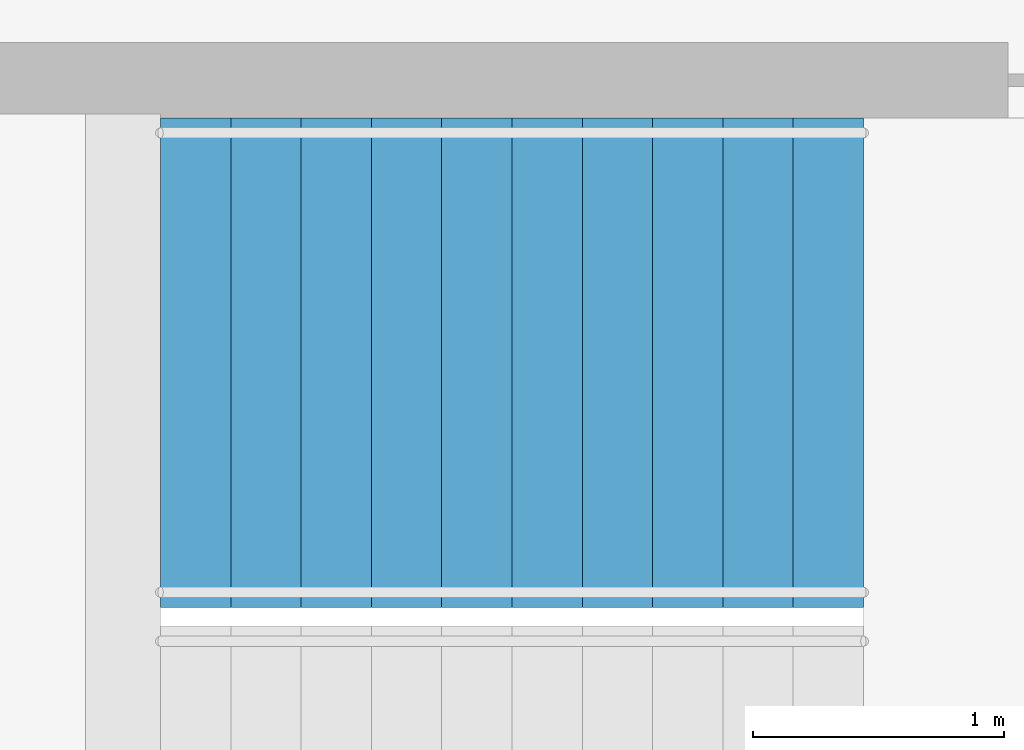
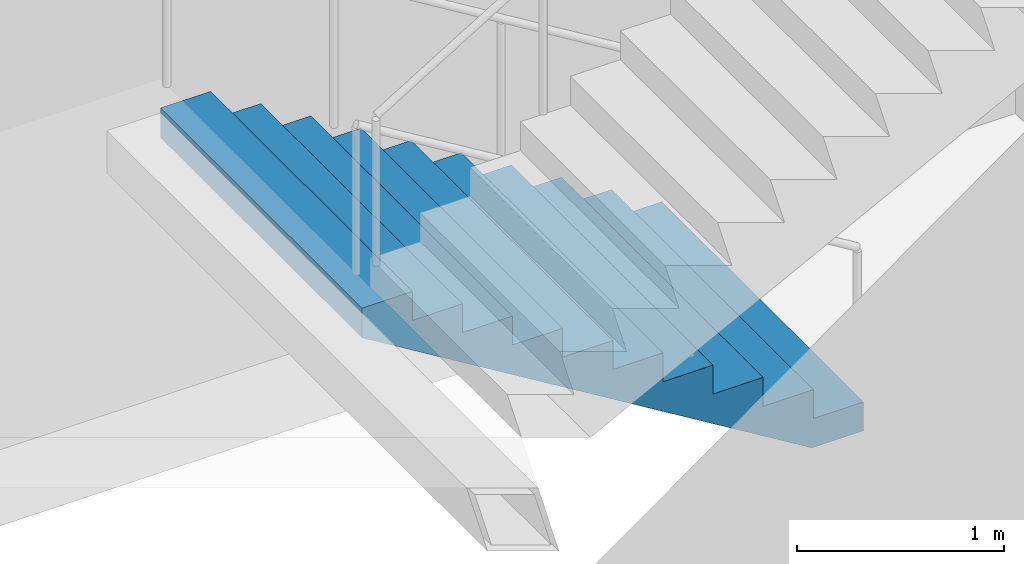
# One storey, part 23 of 25: 1 stair flight, 1 element without a shape of its own.
"""IFC4 building model written with IfcOpenShell, lengths in metres."""

import ifcopenshell
import ifcopenshell.guid

model = None  # the IFC model being written
_history = None  # IfcOwnerHistory: only IFC2X3 demands one
_inside = {}  # id of a spatial element -> (the spatial element, [elements in it])
_under = {}  # id of a project, library or spatial element -> (it, [spatial elements below it])
_declared = {}  # id of a project -> (the project, [libraries it declares])
_typed = {}  # id of a type object -> (the type object, [elements of that type])
_made_of = {}  # id of a material, layer set ... -> (it, [elements and type objects made of it])


def new_model(schema):
    """Start an empty IFC model of exactly this schema.

    Asked for "IFC4X3", IfcOpenShell would pick the latest addendum, in which some entities
    have other attributes; the version numbers below select the first issue.
    IFC2X3 requires an IfcOwnerHistory on every rooted entity: one is made here for all.
    """
    global model, _history
    if schema == "IFC4X3":
        model = ifcopenshell.file(schema_version=(4, 3, 0, 0))
    else:
        model = ifcopenshell.file(schema=schema)
    _inside.clear()
    _under.clear()
    _declared.clear()
    _typed.clear()
    _made_of.clear()
    _history = None
    if model.schema == "IFC2X3":
        org = make("IfcOrganization", Name="unknown")
        user = make(
            "IfcPersonAndOrganization",
            ThePerson=make("IfcPerson", FamilyName="unknown"),
            TheOrganization=org,
        )
        app = make(
            "IfcApplication",
            ApplicationDeveloper=org,
            Version="unknown",
            ApplicationFullName="unknown",
            ApplicationIdentifier="unknown",
        )
        _history = make(
            "IfcOwnerHistory",
            OwningUser=user,
            OwningApplication=app,
            ChangeAction="ADDED",
            CreationDate=0,
        )
    return model


def make(cls, **values):
    """One entity of the class cls with the attributes given. An attribute that is None is left unset."""
    return model.create_entity(
        cls, **{name: value for name, value in values.items() if value is not None}
    )


def rooted(cls, **values):
    """An entity with a GlobalId (a new one), such as an element, a storey or a relation."""
    return make(cls, GlobalId=ifcopenshell.guid.new(), OwnerHistory=_history, **values)


def si_unit(unit_type, name, prefix=None):
    """IfcSIUnit, for example si_unit("LENGTHUNIT", "METRE", prefix="MILLI")."""
    return make("IfcSIUnit", UnitType=unit_type, Prefix=prefix, Name=name)


def assignment(units):
    """IfcUnitAssignment: the units of a project."""
    return None if units is None else make("IfcUnitAssignment", Units=units)


def point(xyz):
    """IfcCartesianPoint."""
    return None if xyz is None else make("IfcCartesianPoint", Coordinates=xyz)


def direction(xyz):
    """IfcDirection."""
    return None if xyz is None else make("IfcDirection", DirectionRatios=xyz)


def frame(location, z_axis=None, x_axis=None):
    """IfcAxis2Placement3D, a coordinate frame: its origin and axes. An axis left out is left unset."""
    return make(
        "IfcAxis2Placement3D",
        Location=point(location),
        Axis=direction(z_axis),
        RefDirection=direction(x_axis),
    )


def origin():
    """The frame at (0, 0, 0) with its axes left unset."""
    return frame((0.0, 0.0, 0.0))


def place(relative_to, where):
    """IfcLocalPlacement: puts the frame where relative to a parent placement (None: the world)."""
    return make(
        "IfcLocalPlacement", PlacementRelTo=relative_to, RelativePlacement=where
    )


def context(
    kind, dimensions, precision=None, world=None, true_north=None, identifier=None
):
    """IfcGeometricRepresentationContext, for example the 3D "Model" context."""
    return make(
        "IfcGeometricRepresentationContext",
        ContextIdentifier=identifier,
        ContextType=kind,
        CoordinateSpaceDimension=dimensions,
        Precision=precision,
        WorldCoordinateSystem=world,
        TrueNorth=true_north,
    )


def subcontext(parent, identifier, kind, view, scale=None):
    """IfcGeometricRepresentationSubContext, for example "Body" below "Model"."""
    return make(
        "IfcGeometricRepresentationSubContext",
        ContextIdentifier=identifier,
        ContextType=kind,
        ParentContext=parent,
        TargetScale=scale,
        TargetView=view,
    )


def project(units=None, contexts=None):
    """IfcProject with its units and contexts."""
    return rooted(
        "IfcProject",
        Name="project",
        RepresentationContexts=contexts,
        UnitsInContext=assignment(units),
    )


def spatial(cls, under=None, at=None, **own):
    """A site, building, storey or space (cls), placed at a placement, below another one or the project."""
    s = rooted(cls, ObjectPlacement=at, **own)
    if under is not None:
        _under.setdefault(under.id(), (under, []))[1].append(s)
    return s


def point_list(points):
    """IfcCartesianPointList2D or 3D."""
    cls = (
        "IfcCartesianPointList2D" if len(points[0]) == 2 else "IfcCartesianPointList3D"
    )
    return make(cls, CoordList=points)


def triangles(points, corners, closed=None, point_numbers=None):
    """IfcTriangulatedFaceSet: each triangle names its three corners, points numbered from 1."""
    return make(
        "IfcTriangulatedFaceSet",
        Coordinates=point_list(points),
        Closed=closed,
        CoordIndex=corners,
        PnIndex=point_numbers,
    )


def shape(context_of_items, identifier, shape_type, items):
    """IfcShapeRepresentation: the items that make up one representation, for example the "Body"."""
    return make(
        "IfcShapeRepresentation",
        ContextOfItems=context_of_items,
        RepresentationIdentifier=identifier,
        RepresentationType=shape_type,
        Items=items,
    )


def material(Name=None, Category=None):
    """IfcMaterial."""
    return make("IfcMaterial", Name=Name, Category=Category)


def made_of(thing, what):
    """Note that an element or type object is made of a material, layer set ...; save() writes the relation."""
    if what is not None:
        _made_of.setdefault(what.id(), (what, []))[1].append(thing)
    return thing


def type_object(cls, material=None, **own):
    """A type object (cls), such as IfcWallType, which elements share."""
    return made_of(rooted(cls, **own), material)


def element(
    cls,
    number,
    at=None,
    inside=None,
    cuts=None,
    type_object=None,
    material=None,
    context=None,
    identifier="Body",
    shape_type=None,
    held_by="IfcProductDefinitionShape",
    body=None,
    shapes=None,
    **own,
):
    """One element of the class cls, such as IfcWall. Its Tag is "e" and its number.

    at: its placement. inside: the storey or other place that contains it. cuts: it is an
    opening in that element (IfcRelVoidsElement). A single representation is given by context,
    identifier, shape_type and body (its items); several are given by shapes. held_by: the class
    of the entity that holds the representations. save() writes the other relations.
    """
    e = rooted(cls, Tag="e%d" % number, ObjectPlacement=at, **own)
    if body is not None:
        shapes = [shape(context, identifier, shape_type, body)]
    if shapes is not None:
        e.Representation = make(held_by, Representations=shapes)
    if inside is not None:
        _inside.setdefault(inside.id(), (inside, []))[1].append(e)
    if cuts is not None:
        rooted(
            "IfcRelVoidsElement", RelatingBuildingElement=cuts, RelatedOpeningElement=e
        )
    if type_object is not None:
        _typed.setdefault(type_object.id(), (type_object, []))[1].append(e)
    return made_of(e, material)


def aggregate(whole, parts):
    """IfcRelAggregates: a whole, such as a stair, and the parts it consists of."""
    return rooted("IfcRelAggregates", RelatingObject=whole, RelatedObjects=parts)


def save(model, path):
    """Write the relations noted so far, then the file.

    IfcRelAggregates (storeys below a building ...), IfcRelContainedInSpatialStructure (elements
    in a storey), IfcRelDefinesByType, IfcRelAssociatesMaterial and IfcRelDeclares: one each for
    every whole, place, type object, material and project.
    """
    for whole, parts in _under.values():
        aggregate(whole, parts)
    for where, things in _inside.values():
        rooted(
            "IfcRelContainedInSpatialStructure",
            RelatedElements=things,
            RelatingStructure=where,
        )
    for kind, things in _typed.values():
        rooted("IfcRelDefinesByType", RelatedObjects=things, RelatingType=kind)
    for what, things in _made_of.values():
        rooted("IfcRelAssociatesMaterial", RelatedObjects=things, RelatingMaterial=what)
    for by, libraries in _declared.values():
        rooted("IfcRelDeclares", RelatingContext=by, RelatedDefinitions=libraries)
    model.write(path)


model = new_model("IFC4")

# Units and contexts
model_context = context("Model", 3, precision=1e-05, world=origin(), true_north=direction((0.0, 1.0)))
body_context = subcontext(model_context, "Body", "Model", "MODEL_VIEW")
ifc_project = project(units=[si_unit("LENGTHUNIT", "METRE"), si_unit("AREAUNIT", "SQUARE_METRE"), si_unit("VOLUMEUNIT", "CUBIC_METRE"), si_unit("PLANEANGLEUNIT", "RADIAN"), si_unit("MASSUNIT", "GRAM", prefix="KILO")], contexts=[model_context])

# Site, building, storey
site_placement = place(None, origin())
site = spatial("IfcSite", under=ifc_project, at=site_placement, CompositionType="ELEMENT")
building_placement = place(site_placement, origin())
building = spatial("IfcBuilding", under=site, at=building_placement, Name="Orbita Commons", CompositionType="ELEMENT")
storey_placement = place(building_placement, frame((0.0, 0.0, 84.39990234375)))
storey = spatial("IfcBuildingStorey", under=building, at=storey_placement, Name="L20", CompositionType="ELEMENT", Elevation=84.39990234375)

# Stair, stair flight
ifc_material_1 = material(Name="Precast concrete C40/50", Category="concrete")
stair_type = type_object("IfcStairType", Name="Exit stair S2 2 flights 11 risers 170", PredefinedType="HALF_TURN_STAIR", material=ifc_material_1)
stair_placement = place(storey_placement, origin())
stair = element("IfcStair", 1, at=stair_placement, inside=storey, type_object=stair_type, Name="Exit stair S2 L20", PredefinedType="HALF_TURN_STAIR")
ifc_material_2 = material(Name="Precast concrete C40/50", Category="concrete")
stair_flight_type = type_object("IfcStairFlightType", Name="Stair flight 11 risers 170 x 280", PredefinedType="STRAIGHT", material=ifc_material_2)
stair_flight_placement = place(storey_placement, frame((63.550048828125, 29.27490234375, 0.0), z_axis=(0.0, 0.0, 1.0), x_axis=(-1.0, 0.0, 0.0)))
stair_flight = element("IfcStairFlight", 2, at=stair_flight_placement, type_object=stair_flight_type, Name="S2 flight 1", NumberOfRisers=11, NumberOfTreads=10, PredefinedType="STRAIGHT", RiserHeight=0.170454545, TreadLength=0.28, context=body_context, shape_type="Tessellation", body=[
    triangles([(0.0, 0.974976, 0.0), (0.0, 0.974976, 0.021307), (0.0, 0.81248, 0.021307), (0.0, 0.81248, 0.0), (0.0, 0.649984, 0.021307), (0.0, 0.649984, 0.0), (0.0, 0.487488, 0.021307), (0.0, 0.487488, 0.0), (0.0, 0.324992, 0.021307), (0.0, 0.324992, 0.0), (0.0, 0.162496, 0.021307), (0.0, 0.162496, 0.0), (0.0, 0.0, 0.021307), (0.0, 0.0, 0.0), (0.0, -0.162496, 0.021307), (0.0, -0.162496, 0.0), (0.0, -0.324992, 0.021307), (0.0, -0.324992, 0.0), (0.0, -0.487488, 0.021307), (0.0, -0.487488, 0.0), (0.0, -0.649984, 0.021307), (0.0, -0.649984, 0.0), (0.0, -0.81248, 0.021307), (0.0, -0.81248, 0.0), (0.0, -0.974976, 0.021307), (0.0, -0.974976, 0.0), (0.0, 0.974976, 0.042614), (0.0, 0.81248, 0.042614), (0.0, 0.649984, 0.042614), (0.0, 0.487488, 0.042614), (0.0, 0.324992, 0.042614), (0.0, 0.162496, 0.042614), (0.0, 0.0, 0.042614), (0.0, -0.162496, 0.042614), (0.0, -0.324992, 0.042614), (0.0, -0.487488, 0.042614), (0.0, -0.649984, 0.042614), (0.0, -0.81248, 0.042614), (0.0, -0.974976, 0.042614), (0.0, 0.974976, 0.06392), (0.0, 0.81248, 0.06392), (0.0, 0.649984, 0.06392), (0.0, 0.487488, 0.06392), (0.0, 0.324992, 0.06392), (0.0, 0.162496, 0.06392), (0.0, 0.0, 0.06392), (0.0, -0.162496, 0.06392), (0.0, -0.324992, 0.06392), (0.0, -0.487488, 0.06392), (0.0, -0.649984, 0.06392), (0.0, -0.81248, 0.06392), (0.0, -0.974976, 0.06392), (0.0, 0.974976, 0.085227), (0.0, 0.81248, 0.085227), (0.0, 0.649984, 0.085227), (0.0, 0.487488, 0.085227), (0.0, 0.324992, 0.085227), (0.0, 0.162496, 0.085227), (0.0, 0.0, 0.085227), (0.0, -0.162496, 0.085227), (0.0, -0.324992, 0.085227), (0.0, -0.487488, 0.085227), (0.0, -0.649984, 0.085227), (0.0, -0.81248, 0.085227), (0.0, -0.974976, 0.085227), (0.0, 0.974976, 0.106534), (0.0, 0.81248, 0.106534), (0.0, 0.649984, 0.106534), (0.0, 0.487488, 0.106534), (0.0, 0.324992, 0.106534), (0.0, 0.162496, 0.106534), (0.0, 0.0, 0.106534), (0.0, -0.162496, 0.106534), (0.0, -0.324992, 0.106534), (0.0, -0.487488, 0.106534), (0.0, -0.649984, 0.106534), (0.0, -0.81248, 0.106534), (0.0, -0.974976, 0.106534), (0.0, 0.974976, 0.127841), (0.0, 0.81248, 0.127841), (0.0, 0.649984, 0.127841), (0.0, 0.487488, 0.127841), (0.0, 0.324992, 0.127841), (0.0, 0.162496, 0.127841), (0.0, 0.0, 0.127841), (0.0, -0.162496, 0.127841), (0.0, -0.324992, 0.127841), (0.0, -0.487488, 0.127841), (0.0, -0.649984, 0.127841), (0.0, -0.81248, 0.127841), (0.0, -0.974976, 0.127841), (0.0, 0.974976, 0.149148), (0.0, 0.81248, 0.149148), (0.0, 0.649984, 0.149148), (0.0, 0.487488, 0.149148), (0.0, 0.324992, 0.149148), (0.0, 0.162496, 0.149148), (0.0, 0.0, 0.149148), (0.0, -0.162496, 0.149148), (0.0, -0.324992, 0.149148), (0.0, -0.487488, 0.149148), (0.0, -0.649984, 0.149148), (0.0, -0.81248, 0.149148), (0.0, -0.974976, 0.149148), (0.0, 0.974976, 0.170455), (0.0, 0.81248, 0.170455), (0.0, 0.649984, 0.170455), (0.0, 0.487488, 0.170455), (0.0, 0.324992, 0.170455), (0.0, 0.162496, 0.170455), (0.0, 0.0, 0.170455), (0.0, -0.162496, 0.170455), (0.0, -0.324992, 0.170455), (0.0, -0.487488, 0.170455), (0.0, -0.649984, 0.170455), (0.0, -0.81248, 0.170455), (0.0, -0.974976, 0.170455), (0.28, 0.974976, 0.170455), (0.28, 0.81248, 0.170455), (0.28, 0.649984, 0.170455), (0.28, 0.487488, 0.170455), (0.28, 0.324992, 0.170455), (0.28, 0.162496, 0.170455), (0.28, 0.0, 0.170455), (0.28, -0.162496, 0.170455), (0.28, -0.324992, 0.170455), (0.28, -0.487488, 0.170455), (0.28, -0.649984, 0.170455), (0.28, -0.81248, 0.170455), (0.28, -0.974976, 0.170455), (0.28, 0.974976, 0.340909), (0.28, 0.81248, 0.340909), (0.28, 0.649984, 0.340909), (0.28, 0.487488, 0.340909), (0.28, 0.324992, 0.340909), (0.28, 0.162496, 0.340909), (0.28, 0.0, 0.340909), (0.28, -0.162496, 0.340909), (0.28, -0.324992, 0.340909), (0.28, -0.487488, 0.340909), (0.28, -0.649984, 0.340909), (0.28, -0.81248, 0.340909), (0.28, -0.974976, 0.340909), (0.56, 0.974976, 0.340909), (0.56, 0.81248, 0.340909), (0.56, 0.649984, 0.340909), (0.56, 0.487488, 0.340909), (0.56, 0.324992, 0.340909), (0.56, 0.162496, 0.340909), (0.56, 0.0, 0.340909), (0.56, -0.162496, 0.340909), (0.56, -0.324992, 0.340909), (0.56, -0.487488, 0.340909), (0.56, -0.649984, 0.340909), (0.56, -0.81248, 0.340909), (0.56, -0.974976, 0.340909), (0.56, 0.974976, 0.511364), (0.56, 0.81248, 0.511364), (0.56, 0.649984, 0.511364), (0.56, 0.487488, 0.511364), (0.56, 0.324992, 0.511364), (0.56, 0.162496, 0.511364), (0.56, 0.0, 0.511364), (0.56, -0.162496, 0.511364), (0.56, -0.324992, 0.511364), (0.56, -0.487488, 0.511364), (0.56, -0.649984, 0.511364), (0.56, -0.81248, 0.511364), (0.56, -0.974976, 0.511364), (0.84, 0.974976, 0.511364), (0.84, 0.81248, 0.511364), (0.84, 0.649984, 0.511364), (0.84, 0.487488, 0.511364), (0.84, 0.324992, 0.511364), (0.84, 0.162496, 0.511364), (0.84, 0.0, 0.511364), (0.84, -0.162496, 0.511364), (0.84, -0.324992, 0.511364), (0.84, -0.487488, 0.511364), (0.84, -0.649984, 0.511364), (0.84, -0.81248, 0.511364), (0.84, -0.974976, 0.511364), (0.84, 0.974976, 0.681818), (0.84, 0.81248, 0.681818), (0.84, 0.649984, 0.681818), (0.84, 0.487488, 0.681818), (0.84, 0.324992, 0.681818), (0.84, 0.162496, 0.681818), (0.84, 0.0, 0.681818), (0.84, -0.162496, 0.681818), (0.84, -0.324992, 0.681818), (0.84, -0.487488, 0.681818), (0.84, -0.649984, 0.681818), (0.84, -0.81248, 0.681818), (0.84, -0.974976, 0.681818), (1.12, 0.974976, 0.681818), (1.12, 0.81248, 0.681818), (1.12, 0.649984, 0.681818), (1.12, 0.487488, 0.681818), (1.12, 0.324992, 0.681818), (1.12, 0.162496, 0.681818), (1.12, 0.0, 0.681818), (1.12, -0.162496, 0.681818), (1.12, -0.324992, 0.681818), (1.12, -0.487488, 0.681818), (1.12, -0.649984, 0.681818), (1.12, -0.81248, 0.681818), (1.12, -0.974976, 0.681818), (1.12, 0.974976, 0.852273), (1.12, 0.81248, 0.852273), (1.12, 0.649984, 0.852273), (1.12, 0.487488, 0.852273), (1.12, 0.324992, 0.852273), (1.12, 0.162496, 0.852273), (1.12, 0.0, 0.852273), (1.12, -0.162496, 0.852273), (1.12, -0.324992, 0.852273), (1.12, -0.487488, 0.852273), (1.12, -0.649984, 0.852273), (1.12, -0.81248, 0.852273), (1.12, -0.974976, 0.852273), (1.4, 0.974976, 0.852273), (1.4, 0.81248, 0.852273), (1.4, 0.649984, 0.852273), (1.4, 0.487488, 0.852273), (1.4, 0.324992, 0.852273), (1.4, 0.162496, 0.852273), (1.4, 0.0, 0.852273), (1.4, -0.162496, 0.852273), (1.4, -0.324992, 0.852273), (1.4, -0.487488, 0.852273), (1.4, -0.649984, 0.852273), (1.4, -0.81248, 0.852273), (1.4, -0.974976, 0.852273), (1.4, 0.974976, 1.022727), (1.4, 0.81248, 1.022727), (1.4, 0.649984, 1.022727), (1.4, 0.487488, 1.022727), (1.4, 0.324992, 1.022727), (1.4, 0.162496, 1.022727), (1.4, 0.0, 1.022727), (1.4, -0.162496, 1.022727), (1.4, -0.324992, 1.022727), (1.4, -0.487488, 1.022727), (1.4, -0.649984, 1.022727), (1.4, -0.81248, 1.022727), (1.4, -0.974976, 1.022727), (1.68, 0.974976, 1.022727), (1.68, 0.81248, 1.022727), (1.68, 0.649984, 1.022727), (1.68, 0.487488, 1.022727), (1.68, 0.324992, 1.022727), (1.68, 0.162496, 1.022727), (1.68, 0.0, 1.022727), (1.68, -0.162496, 1.022727), (1.68, -0.324992, 1.022727), (1.68, -0.487488, 1.022727), (1.68, -0.649984, 1.022727), (1.68, -0.81248, 1.022727), (1.68, -0.974976, 1.022727), (1.68, 0.974976, 1.193182), (1.68, 0.81248, 1.193182), (1.68, 0.649984, 1.193182), (1.68, 0.487488, 1.193182), (1.68, 0.324992, 1.193182), (1.68, 0.162496, 1.193182), (1.68, 0.0, 1.193182), (1.68, -0.162496, 1.193182), (1.68, -0.324992, 1.193182), (1.68, -0.487488, 1.193182), (1.68, -0.649984, 1.193182), (1.68, -0.81248, 1.193182), (1.68, -0.974976, 1.193182), (1.96, 0.974976, 1.193182), (1.96, 0.81248, 1.193182), (1.96, 0.649984, 1.193182), (1.96, 0.487488, 1.193182), (1.96, 0.324992, 1.193182), (1.96, 0.162496, 1.193182), (1.96, 0.0, 1.193182), (1.96, -0.162496, 1.193182), (1.96, -0.324992, 1.193182), (1.96, -0.487488, 1.193182), (1.96, -0.649984, 1.193182), (1.96, -0.81248, 1.193182), (1.96, -0.974976, 1.193182), (1.96, 0.974976, 1.363636), (1.96, 0.81248, 1.363636), (1.96, 0.649984, 1.363636), (1.96, 0.487488, 1.363636), (1.96, 0.324992, 1.363636), (1.96, 0.162496, 1.363636), (1.96, 0.0, 1.363636), (1.96, -0.162496, 1.363636), (1.96, -0.324992, 1.363636), (1.96, -0.487488, 1.363636), (1.96, -0.649984, 1.363636), (1.96, -0.81248, 1.363636), (1.96, -0.974976, 1.363636), (2.24, 0.974976, 1.363636), (2.24, 0.81248, 1.363636), (2.24, 0.649984, 1.363636), (2.24, 0.487488, 1.363636), (2.24, 0.324992, 1.363636), (2.24, 0.162496, 1.363636), (2.24, 0.0, 1.363636), (2.24, -0.162496, 1.363636), (2.24, -0.324992, 1.363636), (2.24, -0.487488, 1.363636), (2.24, -0.649984, 1.363636), (2.24, -0.81248, 1.363636), (2.24, -0.974976, 1.363636), (2.24, 0.974976, 1.534091), (2.24, 0.81248, 1.534091), (2.24, 0.649984, 1.534091), (2.24, 0.487488, 1.534091), (2.24, 0.324992, 1.534091), (2.24, 0.162496, 1.534091), (2.24, 0.0, 1.534091), (2.24, -0.162496, 1.534091), (2.24, -0.324992, 1.534091), (2.24, -0.487488, 1.534091), (2.24, -0.649984, 1.534091), (2.24, -0.81248, 1.534091), (2.24, -0.974976, 1.534091), (2.52, 0.974976, 1.534091), (2.52, 0.81248, 1.534091), (2.52, 0.649984, 1.534091), (2.52, 0.487488, 1.534091), (2.52, 0.324992, 1.534091), (2.52, 0.162496, 1.534091), (2.52, 0.0, 1.534091), (2.52, -0.162496, 1.534091), (2.52, -0.324992, 1.534091), (2.52, -0.487488, 1.534091), (2.52, -0.649984, 1.534091), (2.52, -0.81248, 1.534091), (2.52, -0.974976, 1.534091), (2.52, 0.974976, 1.704545), (2.52, 0.81248, 1.704545), (2.52, 0.649984, 1.704545), (2.52, 0.487488, 1.704545), (2.52, 0.324992, 1.704545), (2.52, 0.162496, 1.704545), (2.52, 0.0, 1.704545), (2.52, -0.162496, 1.704545), (2.52, -0.324992, 1.704545), (2.52, -0.487488, 1.704545), (2.52, -0.649984, 1.704545), (2.52, -0.81248, 1.704545), (2.52, -0.974976, 1.704545), (2.8, 0.974976, 1.704545), (2.8, 0.81248, 1.704545), (2.8, 0.649984, 1.704545), (2.8, 0.487488, 1.704545), (2.8, 0.324992, 1.704545), (2.8, 0.162496, 1.704545), (2.8, 0.0, 1.704545), (2.8, -0.162496, 1.704545), (2.8, -0.324992, 1.704545), (2.8, -0.487488, 1.704545), (2.8, -0.649984, 1.704545), (2.8, -0.81248, 1.704545), (2.8, -0.974976, 1.704545), (2.8, 0.974976, 1.682609), (2.8, 0.81248, 1.682609), (2.8, 0.649984, 1.682609), (2.8, 0.487488, 1.682609), (2.8, 0.324992, 1.682609), (2.8, 0.162496, 1.682609), (2.8, 0.0, 1.682609), (2.8, -0.162496, 1.682609), (2.8, -0.324992, 1.682609), (2.8, -0.487488, 1.682609), (2.8, -0.649984, 1.682609), (2.8, -0.81248, 1.682609), (2.8, -0.974976, 1.682609), (2.8, 0.974976, 1.660672), (2.8, 0.81248, 1.660672), (2.8, 0.649984, 1.660672), (2.8, 0.487488, 1.660672), (2.8, 0.324992, 1.660672), (2.8, 0.162496, 1.660672), (2.8, 0.0, 1.660672), (2.8, -0.162496, 1.660672), (2.8, -0.324992, 1.660672), (2.8, -0.487488, 1.660672), (2.8, -0.649984, 1.660672), (2.8, -0.81248, 1.660672), (2.8, -0.974976, 1.660672), (2.8, 0.974976, 1.638735), (2.8, 0.81248, 1.638735), (2.8, 0.649984, 1.638735), (2.8, 0.487488, 1.638735), (2.8, 0.324992, 1.638735), (2.8, 0.162496, 1.638735), (2.8, 0.0, 1.638735), (2.8, -0.162496, 1.638735), (2.8, -0.324992, 1.638735), (2.8, -0.487488, 1.638735), (2.8, -0.649984, 1.638735), (2.8, -0.81248, 1.638735), (2.8, -0.974976, 1.638735), (2.8, 0.974976, 1.616798), (2.8, 0.81248, 1.616798), (2.8, 0.649984, 1.616798), (2.8, 0.487488, 1.616798), (2.8, 0.324992, 1.616798), (2.8, 0.162496, 1.616798), (2.8, 0.0, 1.616798), (2.8, -0.162496, 1.616798), (2.8, -0.324992, 1.616798), (2.8, -0.487488, 1.616798), (2.8, -0.649984, 1.616798), (2.8, -0.81248, 1.616798), (2.8, -0.974976, 1.616798), (2.8, 0.974976, 1.594861), (2.8, 0.81248, 1.594861), (2.8, 0.649984, 1.594861), (2.8, 0.487488, 1.594861), (2.8, 0.324992, 1.594861), (2.8, 0.162496, 1.594861), (2.8, 0.0, 1.594861), (2.8, -0.162496, 1.594861), (2.8, -0.324992, 1.594861), (2.8, -0.487488, 1.594861), (2.8, -0.649984, 1.594861), (2.8, -0.81248, 1.594861), (2.8, -0.974976, 1.594861), (2.8, 0.974976, 1.572925), (2.8, 0.81248, 1.572925), (2.8, 0.649984, 1.572925), (2.8, 0.487488, 1.572925), (2.8, 0.324992, 1.572925), (2.8, 0.162496, 1.572925), (2.8, 0.0, 1.572925), (2.8, -0.162496, 1.572925), (2.8, -0.324992, 1.572925), (2.8, -0.487488, 1.572925), (2.8, -0.649984, 1.572925), (2.8, -0.81248, 1.572925), (2.8, -0.974976, 1.572925), (2.8, 0.974976, 1.550988), (2.8, 0.81248, 1.550988), (2.8, 0.649984, 1.550988), (2.8, 0.487488, 1.550988), (2.8, 0.324992, 1.550988), (2.8, 0.162496, 1.550988), (2.8, 0.0, 1.550988), (2.8, -0.162496, 1.550988), (2.8, -0.324992, 1.550988), (2.8, -0.487488, 1.550988), (2.8, -0.649984, 1.550988), (2.8, -0.81248, 1.550988), (2.8, -0.974976, 1.550988), (2.8, 0.974976, 1.529051), (2.8, 0.81248, 1.529051), (2.8, 0.649984, 1.529051), (2.8, 0.487488, 1.529051), (2.8, 0.324992, 1.529051), (2.8, 0.162496, 1.529051), (2.8, 0.0, 1.529051), (2.8, -0.162496, 1.529051), (2.8, -0.324992, 1.529051), (2.8, -0.487488, 1.529051), (2.8, -0.649984, 1.529051), (2.8, -0.81248, 1.529051), (2.8, -0.974976, 1.529051), (0.288279, 0.974976, 0.0), (0.288279, 0.81248, 0.0), (0.288279, 0.649984, 0.0), (0.288279, 0.487488, 0.0), (0.288279, 0.324992, 0.0), (0.288279, 0.162496, 0.0), (0.288279, 0.0, 0.0), (0.288279, -0.162496, 0.0), (0.288279, -0.324992, 0.0), (0.288279, -0.487488, 0.0), (0.288279, -0.649984, 0.0), (0.288279, -0.81248, 0.0), (0.288279, -0.974976, 0.0)], [[3, 2, 1], [4, 3, 1], [5, 3, 4], [6, 5, 4], [7, 5, 6], [8, 7, 6], [9, 7, 8], [10, 9, 8], [11, 9, 10], [12, 11, 10], [13, 11, 12], [14, 13, 12], [15, 13, 14], [16, 15, 14], [17, 15, 16], [18, 17, 16], [19, 17, 18], [20, 19, 18], [21, 19, 20], [22, 21, 20], [23, 21, 22], [24, 23, 22], [25, 23, 24], [26, 25, 24], [28, 27, 2], [3, 28, 2], [29, 28, 3], [5, 29, 3], [30, 29, 5], [7, 30, 5], [31, 30, 7], [9, 31, 7], [32, 31, 9], [11, 32, 9], [33, 32, 11], [13, 33, 11], [34, 33, 13], [15, 34, 13], [35, 34, 15], [17, 35, 15], [36, 35, 17], [19, 36, 17], [37, 36, 19], [21, 37, 19], [38, 37, 21], [23, 38, 21], [39, 38, 23], [25, 39, 23], [41, 40, 27], [28, 41, 27], [42, 41, 28], [29, 42, 28], [43, 42, 29], [30, 43, 29], [44, 43, 30], [31, 44, 30], [45, 44, 31], [32, 45, 31], [46, 45, 32], [33, 46, 32], [47, 46, 33], [34, 47, 33], [48, 47, 34], [35, 48, 34], [49, 48, 35], [36, 49, 35], [50, 49, 36], [37, 50, 36], [51, 50, 37], [38, 51, 37], [52, 51, 38], [39, 52, 38], [54, 53, 40], [41, 54, 40], [55, 54, 41], [42, 55, 41], [56, 55, 42], [43, 56, 42], [57, 56, 43], [44, 57, 43], [58, 57, 44], [45, 58, 44], [59, 58, 45], [46, 59, 45], [60, 59, 46], [47, 60, 46], [61, 60, 47], [48, 61, 47], [62, 61, 48], [49, 62, 48], [63, 62, 49], [50, 63, 49], [64, 63, 50], [51, 64, 50], [65, 64, 51], [52, 65, 51], [67, 66, 53], [54, 67, 53], [68, 67, 54], [55, 68, 54], [69, 68, 55], [56, 69, 55], [70, 69, 56], [57, 70, 56], [71, 70, 57], [58, 71, 57], [72, 71, 58], [59, 72, 58], [73, 72, 59], [60, 73, 59], [74, 73, 60], [61, 74, 60], [75, 74, 61], [62, 75, 61], [76, 75, 62], [63, 76, 62], [77, 76, 63], [64, 77, 63], [78, 77, 64], [65, 78, 64], [80, 79, 66], [67, 80, 66], [81, 80, 67], [68, 81, 67], [82, 81, 68], [69, 82, 68], [83, 82, 69], [70, 83, 69], [84, 83, 70], [71, 84, 70], [85, 84, 71], [72, 85, 71], [86, 85, 72], [73, 86, 72], [87, 86, 73], [74, 87, 73], [88, 87, 74], [75, 88, 74], [89, 88, 75], [76, 89, 75], [90, 89, 76], [77, 90, 76], [91, 90, 77], [78, 91, 77], [93, 92, 79], [80, 93, 79], [94, 93, 80], [81, 94, 80], [95, 94, 81], [82, 95, 81], [96, 95, 82], [83, 96, 82], [97, 96, 83], [84, 97, 83], [98, 97, 84], [85, 98, 84], [99, 98, 85], [86, 99, 85], [100, 99, 86], [87, 100, 86], [101, 100, 87], [88, 101, 87], [102, 101, 88], [89, 102, 88], [103, 102, 89], [90, 103, 89], [104, 103, 90], [91, 104, 90], [106, 105, 92], [93, 106, 92], [107, 106, 93], [94, 107, 93], [108, 107, 94], [95, 108, 94], [109, 108, 95], [96, 109, 95], [110, 109, 96], [97, 110, 96], [111, 110, 97], [98, 111, 97], [112, 111, 98], [99, 112, 98], [113, 112, 99], [100, 113, 99], [114, 113, 100], [101, 114, 100], [115, 114, 101], [102, 115, 101], [116, 115, 102], [103, 116, 102], [117, 116, 103], [104, 117, 103], [119, 118, 105], [106, 119, 105], [120, 119, 106], [107, 120, 106], [121, 120, 107], [108, 121, 107], [122, 121, 108], [109, 122, 108], [123, 122, 109], [110, 123, 109], [124, 123, 110], [111, 124, 110], [125, 124, 111], [112, 125, 111], [126, 125, 112], [113, 126, 112], [127, 126, 113], [114, 127, 113], [128, 127, 114], [115, 128, 114], [129, 128, 115], [116, 129, 115], [130, 129, 116], [117, 130, 116], [132, 131, 118], [119, 132, 118], [133, 132, 119], [120, 133, 119], [134, 133, 120], [121, 134, 120], [135, 134, 121], [122, 135, 121], [136, 135, 122], [123, 136, 122], [137, 136, 123], [124, 137, 123], [138, 137, 124], [125, 138, 124], [139, 138, 125], [126, 139, 125], [140, 139, 126], [127, 140, 126], [141, 140, 127], [128, 141, 127], [142, 141, 128], [129, 142, 128], [143, 142, 129], [130, 143, 129], [145, 144, 131], [132, 145, 131], [146, 145, 132], [133, 146, 132], [147, 146, 133], [134, 147, 133], [148, 147, 134], [135, 148, 134], [149, 148, 135], [136, 149, 135], [150, 149, 136], [137, 150, 136], [151, 150, 137], [138, 151, 137], [152, 151, 138], [139, 152, 138], [153, 152, 139], [140, 153, 139], [154, 153, 140], [141, 154, 140], [155, 154, 141], [142, 155, 141], [156, 155, 142], [143, 156, 142], [158, 157, 144], [145, 158, 144], [159, 158, 145], [146, 159, 145], [160, 159, 146], [147, 160, 146], [161, 160, 147], [148, 161, 147], [162, 161, 148], [149, 162, 148], [163, 162, 149], [150, 163, 149], [164, 163, 150], [151, 164, 150], [165, 164, 151], [152, 165, 151], [166, 165, 152], [153, 166, 152], [167, 166, 153], [154, 167, 153], [168, 167, 154], [155, 168, 154], [169, 168, 155], [156, 169, 155], [171, 170, 157], [158, 171, 157], [172, 171, 158], [159, 172, 158], [173, 172, 159], [160, 173, 159], [174, 173, 160], [161, 174, 160], [175, 174, 161], [162, 175, 161], [176, 175, 162], [163, 176, 162], [177, 176, 163], [164, 177, 163], [178, 177, 164], [165, 178, 164], [179, 178, 165], [166, 179, 165], [180, 179, 166], [167, 180, 166], [181, 180, 167], [168, 181, 167], [182, 181, 168], [169, 182, 168], [184, 183, 170], [171, 184, 170], [185, 184, 171], [172, 185, 171], [186, 185, 172], [173, 186, 172], [187, 186, 173], [174, 187, 173], [188, 187, 174], [175, 188, 174], [189, 188, 175], [176, 189, 175], [190, 189, 176], [177, 190, 176], [191, 190, 177], [178, 191, 177], [192, 191, 178], [179, 192, 178], [193, 192, 179], [180, 193, 179], [194, 193, 180], [181, 194, 180], [195, 194, 181], [182, 195, 181], [197, 196, 183], [184, 197, 183], [198, 197, 184], [185, 198, 184], [199, 198, 185], [186, 199, 185], [200, 199, 186], [187, 200, 186], [201, 200, 187], [188, 201, 187], [202, 201, 188], [189, 202, 188], [203, 202, 189], [190, 203, 189], [204, 203, 190], [191, 204, 190], [205, 204, 191], [192, 205, 191], [206, 205, 192], [193, 206, 192], [207, 206, 193], [194, 207, 193], [208, 207, 194], [195, 208, 194], [210, 209, 196], [197, 210, 196], [211, 210, 197], [198, 211, 197], [212, 211, 198], [199, 212, 198], [213, 212, 199], [200, 213, 199], [214, 213, 200], [201, 214, 200], [215, 214, 201], [202, 215, 201], [216, 215, 202], [203, 216, 202], [217, 216, 203], [204, 217, 203], [218, 217, 204], [205, 218, 204], [219, 218, 205], [206, 219, 205], [220, 219, 206], [207, 220, 206], [221, 220, 207], [208, 221, 207], [223, 222, 209], [210, 223, 209], [224, 223, 210], [211, 224, 210], [225, 224, 211], [212, 225, 211], [226, 225, 212], [213, 226, 212], [227, 226, 213], [214, 227, 213], [228, 227, 214], [215, 228, 214], [229, 228, 215], [216, 229, 215], [230, 229, 216], [217, 230, 216], [231, 230, 217], [218, 231, 217], [232, 231, 218], [219, 232, 218], [233, 232, 219], [220, 233, 219], [234, 233, 220], [221, 234, 220], [236, 235, 222], [223, 236, 222], [237, 236, 223], [224, 237, 223], [238, 237, 224], [225, 238, 224], [239, 238, 225], [226, 239, 225], [240, 239, 226], [227, 240, 226], [241, 240, 227], [228, 241, 227], [242, 241, 228], [229, 242, 228], [243, 242, 229], [230, 243, 229], [244, 243, 230], [231, 244, 230], [245, 244, 231], [232, 245, 231], [246, 245, 232], [233, 246, 232], [247, 246, 233], [234, 247, 233], [249, 248, 235], [236, 249, 235], [250, 249, 236], [237, 250, 236], [251, 250, 237], [238, 251, 237], [252, 251, 238], [239, 252, 238], [253, 252, 239], [240, 253, 239], [254, 253, 240], [241, 254, 240], [255, 254, 241], [242, 255, 241], [256, 255, 242], [243, 256, 242], [257, 256, 243], [244, 257, 243], [258, 257, 244], [245, 258, 244], [259, 258, 245], [246, 259, 245], [260, 259, 246], [247, 260, 246], [262, 261, 248], [249, 262, 248], [263, 262, 249], [250, 263, 249], [264, 263, 250], [251, 264, 250], [265, 264, 251], [252, 265, 251], [266, 265, 252], [253, 266, 252], [267, 266, 253], [254, 267, 253], [268, 267, 254], [255, 268, 254], [269, 268, 255], [256, 269, 255], [270, 269, 256], [257, 270, 256], [271, 270, 257], [258, 271, 257], [272, 271, 258], [259, 272, 258], [273, 272, 259], [260, 273, 259], [275, 274, 261], [262, 275, 261], [276, 275, 262], [263, 276, 262], [277, 276, 263], [264, 277, 263], [278, 277, 264], [265, 278, 264], [279, 278, 265], [266, 279, 265], [280, 279, 266], [267, 280, 266], [281, 280, 267], [268, 281, 267], [282, 281, 268], [269, 282, 268], [283, 282, 269], [270, 283, 269], [284, 283, 270], [271, 284, 270], [285, 284, 271], [272, 285, 271], [286, 285, 272], [273, 286, 272], [288, 287, 274], [275, 288, 274], [289, 288, 275], [276, 289, 275], [290, 289, 276], [277, 290, 276], [291, 290, 277], [278, 291, 277], [292, 291, 278], [279, 292, 278], [293, 292, 279], [280, 293, 279], [294, 293, 280], [281, 294, 280], [295, 294, 281], [282, 295, 281], [296, 295, 282], [283, 296, 282], [297, 296, 283], [284, 297, 283], [298, 297, 284], [285, 298, 284], [299, 298, 285], [286, 299, 285], [301, 300, 287], [288, 301, 287], [302, 301, 288], [289, 302, 288], [303, 302, 289], [290, 303, 289], [304, 303, 290], [291, 304, 290], [305, 304, 291], [292, 305, 291], [306, 305, 292], [293, 306, 292], [307, 306, 293], [294, 307, 293], [308, 307, 294], [295, 308, 294], [309, 308, 295], [296, 309, 295], [310, 309, 296], [297, 310, 296], [311, 310, 297], [298, 311, 297], [312, 311, 298], [299, 312, 298], [314, 313, 300], [301, 314, 300], [315, 314, 301], [302, 315, 301], [316, 315, 302], [303, 316, 302], [317, 316, 303], [304, 317, 303], [318, 317, 304], [305, 318, 304], [319, 318, 305], [306, 319, 305], [320, 319, 306], [307, 320, 306], [321, 320, 307], [308, 321, 307], [322, 321, 308], [309, 322, 308], [323, 322, 309], [310, 323, 309], [324, 323, 310], [311, 324, 310], [325, 324, 311], [312, 325, 311], [327, 326, 313], [314, 327, 313], [328, 327, 314], [315, 328, 314], [329, 328, 315], [316, 329, 315], [330, 329, 316], [317, 330, 316], [331, 330, 317], [318, 331, 317], [332, 331, 318], [319, 332, 318], [333, 332, 319], [320, 333, 319], [334, 333, 320], [321, 334, 320], [335, 334, 321], [322, 335, 321], [336, 335, 322], [323, 336, 322], [337, 336, 323], [324, 337, 323], [338, 337, 324], [325, 338, 324], [340, 339, 326], [327, 340, 326], [341, 340, 327], [328, 341, 327], [342, 341, 328], [329, 342, 328], [343, 342, 329], [330, 343, 329], [344, 343, 330], [331, 344, 330], [345, 344, 331], [332, 345, 331], [346, 345, 332], [333, 346, 332], [347, 346, 333], [334, 347, 333], [348, 347, 334], [335, 348, 334], [349, 348, 335], [336, 349, 335], [350, 349, 336], [337, 350, 336], [351, 350, 337], [338, 351, 337], [353, 352, 339], [340, 353, 339], [354, 353, 340], [341, 354, 340], [355, 354, 341], [342, 355, 341], [356, 355, 342], [343, 356, 342], [357, 356, 343], [344, 357, 343], [358, 357, 344], [345, 358, 344], [359, 358, 345], [346, 359, 345], [360, 359, 346], [347, 360, 346], [361, 360, 347], [348, 361, 347], [362, 361, 348], [349, 362, 348], [363, 362, 349], [350, 363, 349], [364, 363, 350], [351, 364, 350], [366, 365, 352], [353, 366, 352], [367, 366, 353], [354, 367, 353], [368, 367, 354], [355, 368, 354], [369, 368, 355], [356, 369, 355], [370, 369, 356], [357, 370, 356], [371, 370, 357], [358, 371, 357], [372, 371, 358], [359, 372, 358], [373, 372, 359], [360, 373, 359], [374, 373, 360], [361, 374, 360], [375, 374, 361], [362, 375, 361], [376, 375, 362], [363, 376, 362], [377, 376, 363], [364, 377, 363], [379, 378, 365], [366, 379, 365], [380, 379, 366], [367, 380, 366], [381, 380, 367], [368, 381, 367], [382, 381, 368], [369, 382, 368], [383, 382, 369], [370, 383, 369], [384, 383, 370], [371, 384, 370], [385, 384, 371], [372, 385, 371], [386, 385, 372], [373, 386, 372], [387, 386, 373], [374, 387, 373], [388, 387, 374], [375, 388, 374], [389, 388, 375], [376, 389, 375], [390, 389, 376], [377, 390, 376], [392, 391, 378], [379, 392, 378], [393, 392, 379], [380, 393, 379], [394, 393, 380], [381, 394, 380], [395, 394, 381], [382, 395, 381], [396, 395, 382], [383, 396, 382], [397, 396, 383], [384, 397, 383], [398, 397, 384], [385, 398, 384], [399, 398, 385], [386, 399, 385], [400, 399, 386], [387, 400, 386], [401, 400, 387], [388, 401, 387], [402, 401, 388], [389, 402, 388], [403, 402, 389], [390, 403, 389], [405, 404, 391], [392, 405, 391], [406, 405, 392], [393, 406, 392], [407, 406, 393], [394, 407, 393], [408, 407, 394], [395, 408, 394], [409, 408, 395], [396, 409, 395], [410, 409, 396], [397, 410, 396], [411, 410, 397], [398, 411, 397], [412, 411, 398], [399, 412, 398], [413, 412, 399], [400, 413, 399], [414, 413, 400], [401, 414, 400], [415, 414, 401], [402, 415, 401], [416, 415, 402], [403, 416, 402], [418, 417, 404], [405, 418, 404], [419, 418, 405], [406, 419, 405], [420, 419, 406], [407, 420, 406], [421, 420, 407], [408, 421, 407], [422, 421, 408], [409, 422, 408], [423, 422, 409], [410, 423, 409], [424, 423, 410], [411, 424, 410], [425, 424, 411], [412, 425, 411], [426, 425, 412], [413, 426, 412], [427, 426, 413], [414, 427, 413], [428, 427, 414], [415, 428, 414], [429, 428, 415], [416, 429, 415], [431, 430, 417], [418, 431, 417], [432, 431, 418], [419, 432, 418], [433, 432, 419], [420, 433, 419], [434, 433, 420], [421, 434, 420], [435, 434, 421], [422, 435, 421], [436, 435, 422], [423, 436, 422], [437, 436, 423], [424, 437, 423], [438, 437, 424], [425, 438, 424], [439, 438, 425], [426, 439, 425], [440, 439, 426], [427, 440, 426], [441, 440, 427], [428, 441, 427], [442, 441, 428], [429, 442, 428], [444, 443, 430], [431, 444, 430], [445, 444, 431], [432, 445, 431], [446, 445, 432], [433, 446, 432], [447, 446, 433], [434, 447, 433], [448, 447, 434], [435, 448, 434], [449, 448, 435], [436, 449, 435], [450, 449, 436], [437, 450, 436], [451, 450, 437], [438, 451, 437], [452, 451, 438], [439, 452, 438], [453, 452, 439], [440, 453, 439], [454, 453, 440], [441, 454, 440], [455, 454, 441], [442, 455, 441], [457, 456, 443], [444, 457, 443], [458, 457, 444], [445, 458, 444], [459, 458, 445], [446, 459, 445], [460, 459, 446], [447, 460, 446], [461, 460, 447], [448, 461, 447], [462, 461, 448], [449, 462, 448], [463, 462, 449], [450, 463, 449], [464, 463, 450], [451, 464, 450], [465, 464, 451], [452, 465, 451], [466, 465, 452], [453, 466, 452], [467, 466, 453], [454, 467, 453], [468, 467, 454], [455, 468, 454], [470, 469, 456], [457, 470, 456], [471, 470, 457], [458, 471, 457], [472, 471, 458], [459, 472, 458], [473, 472, 459], [460, 473, 459], [474, 473, 460], [461, 474, 460], [475, 474, 461], [462, 475, 461], [476, 475, 462], [463, 476, 462], [477, 476, 463], [464, 477, 463], [478, 477, 464], [465, 478, 464], [479, 478, 465], [466, 479, 465], [480, 479, 466], [467, 480, 466], [481, 480, 467], [468, 481, 467], [4, 1, 469], [470, 4, 469], [6, 4, 470], [471, 6, 470], [8, 6, 471], [472, 8, 471], [10, 8, 472], [473, 10, 472], [12, 10, 473], [474, 12, 473], [14, 12, 474], [475, 14, 474], [16, 14, 475], [476, 16, 475], [18, 16, 476], [477, 18, 476], [20, 18, 477], [478, 20, 477], [22, 20, 478], [479, 22, 478], [24, 22, 479], [480, 24, 479], [26, 24, 480], [481, 26, 480], [456, 469, 1], [26, 481, 468], [443, 456, 1], [26, 468, 455], [430, 443, 1], [26, 455, 442], [417, 430, 1], [26, 442, 429], [404, 417, 1], [26, 429, 416], [391, 404, 1], [26, 416, 403], [378, 391, 1], [26, 403, 390], [365, 378, 1], [26, 390, 377], [339, 352, 365], [377, 364, 351], [326, 339, 365], [377, 351, 338], [300, 313, 326], [338, 325, 312], [300, 326, 365], [377, 338, 312], [274, 287, 300], [312, 299, 286], [274, 300, 365], [377, 312, 286], [248, 261, 274], [286, 273, 260], [248, 274, 365], [377, 286, 260], [222, 235, 248], [260, 247, 234], [222, 248, 365], [377, 260, 234], [196, 209, 222], [234, 221, 208], [196, 222, 365], [377, 234, 208], [170, 183, 196], [208, 195, 182], [170, 196, 365], [377, 208, 182], [144, 157, 170], [182, 169, 156], [144, 170, 365], [377, 182, 156], [118, 131, 144], [156, 143, 130], [118, 144, 365], [377, 156, 130], [118, 365, 1], [26, 377, 130], [92, 105, 118], [130, 117, 104], [79, 92, 118], [130, 104, 91], [66, 79, 118], [130, 91, 78], [53, 66, 118], [130, 78, 65], [40, 53, 118], [130, 65, 52], [27, 40, 118], [130, 52, 39], [2, 27, 118], [130, 39, 25], [1, 2, 118], [130, 25, 26]], closed=True),
])
aggregate(stair, [stair_flight])

save(model, "model.ifc")
